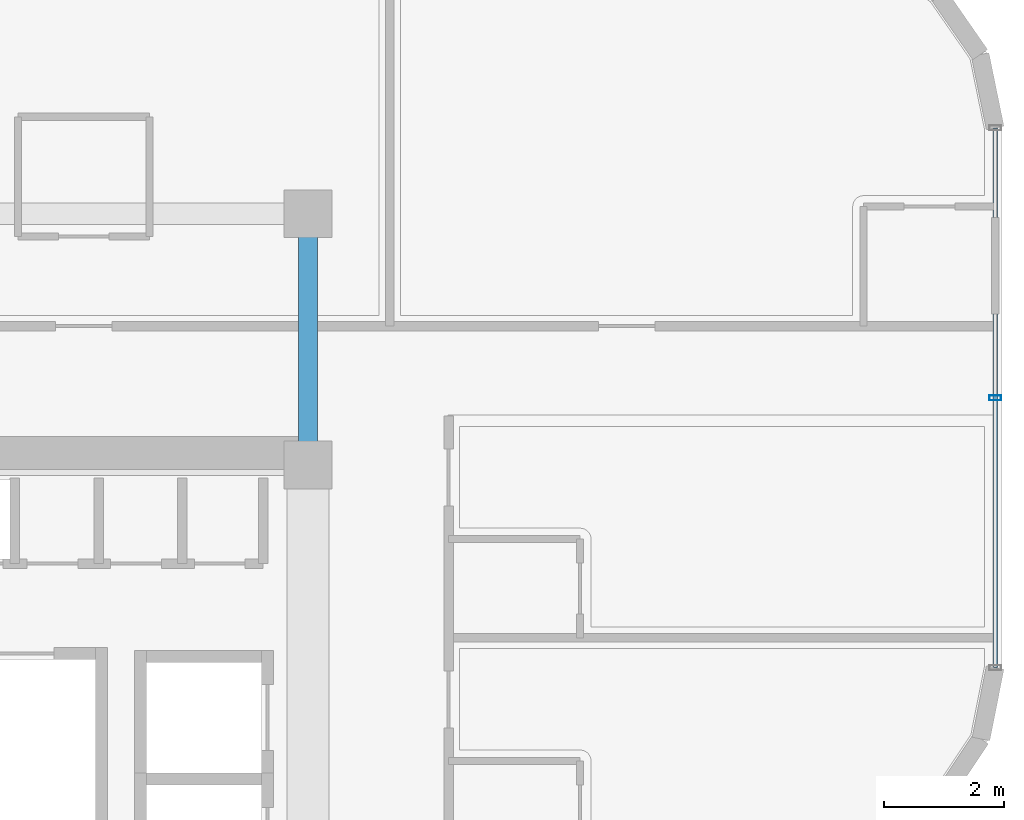
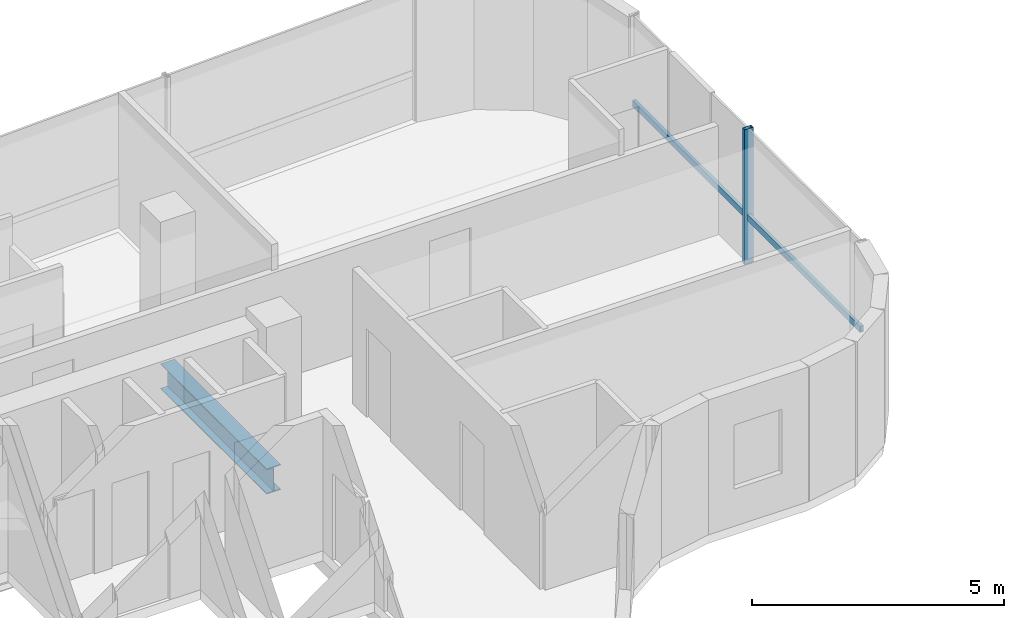
# One storey, part 9 of 20: 2 members, 1 beam, 1 element without a shape of its own.
"""IFC4 building model written with IfcOpenShell, lengths in metres."""

from ifc_helpers import new_model, si_unit, direction, frame, origin, origin_2d, place, context, subcontext, project, spatial, hollow_rectangle, i_section, extrude, source, transform, mapped, material, material_profile, profile_set, type_object, element, aggregate, save


model = new_model("IFC4")

# Units and contexts
model_context = context("Model", 3, precision=1e-05, world=origin(), true_north=direction((0.0, 1.0)))
body_context = subcontext(model_context, "Body", "Model", "MODEL_VIEW")
ifc_project = project(units=[si_unit("LENGTHUNIT", "METRE"), si_unit("AREAUNIT", "SQUARE_METRE"), si_unit("VOLUMEUNIT", "CUBIC_METRE"), si_unit("PLANEANGLEUNIT", "RADIAN"), si_unit("MASSUNIT", "GRAM", prefix="KILO")], contexts=[model_context])

# Site, building, storey
site_placement = place(None, origin())
site = spatial("IfcSite", under=ifc_project, at=site_placement, CompositionType="ELEMENT")
building_placement = place(site_placement, origin())
building = spatial("IfcBuilding", under=site, at=building_placement, Name="Valdorenza Pilgrim Sanctuary Tower", CompositionType="ELEMENT")
storey_placement = place(building_placement, frame((0.0, 0.0, 244.0)))
storey = spatial("IfcBuildingStorey", under=building, at=storey_placement, Name="L63", CompositionType="ELEMENT", Elevation=244.0)

# Beam
ifc_material_1 = material(Name="Steel ASTM A992 Grade 50", Category="steel")
ifc_material_profile_1 = material_profile(ifc_material_1, i_section(OverallWidth=0.323974609375, OverallDepth=0.611083984375, WebThickness=0.0126953125, FlangeThickness=0.01904296875, at=origin_2d()), Name="W24X104")
ifc_profile_set_1 = profile_set([ifc_material_profile_1], Name="Steel ASTM A992 Grade 50")
beam_type = type_object("IfcBeamType", Name="STR-BM-GRD-W24B", PredefinedType="BEAM", material=ifc_profile_set_1)
shared_shape_1 = source(origin(), body_context, "Body", "SweptSolid", [
    extrude(i_section(OverallWidth=0.323974609375, OverallDepth=0.611083984375, WebThickness=0.0126953125, FlangeThickness=0.01904296875, at=origin_2d()), origin(), (0.0, 0.0, 1.0), 4.199951171875),
])
beam_placement = place(storey_placement, frame((-12.39990234375, 10.60009765625, -0.54541015625), z_axis=(0.0, 1.0, 0.0), x_axis=(-1.0, 0.0, 0.0)))
element("IfcBeam", 1, at=beam_placement, inside=storey, type_object=beam_type, Name="L63 Core Tie Girder CA-E-N1N2", PredefinedType="BEAM", context=body_context, shape_type="MappedRepresentation", body=[
    mapped(shared_shape_1, transform((0.0, 0.0, 0.0), x_axis=(1.0, 0.0, 0.0), y_axis=(0.0, 1.0, 0.0), z_axis=(0.0, 0.0, 1.0), scale=1.0)),
])

# Curtain wall, members
ifc_material_2 = material(Name="Curtain-wall IGU glazing", Category="glass")
curtain_wall_type = type_object("IfcCurtainWallType", Name="CW-SYS-02", PredefinedType="NOTDEFINED", material=ifc_material_2)
curtain_wall_placement = place(storey_placement, origin())
curtain_wall = element("IfcCurtainWall", 2, at=curtain_wall_placement, inside=storey, type_object=curtain_wall_type, Name="L63 Curtain Wall CW-L63-1-11", PredefinedType="NOTDEFINED")
ifc_material_3 = material(Name="Anodised aluminium AW-6060", Category="aluminium")
ifc_material_profile_2 = material_profile(ifc_material_3, hollow_rectangle(XDim=0.0849609375, YDim=0.199951171875, WallThickness=0.0048828125, at=origin_2d()), Name="ALU-M 200x85x5")
ifc_profile_set_2 = profile_set([ifc_material_profile_2], Name="Anodised aluminium AW-6060")
member_type_1 = type_object("IfcMemberType", Name="CW-MUL-02", PredefinedType="MULLION", material=ifc_profile_set_2)
shared_shape_2 = source(origin(), body_context, "Body", "SweptSolid", [
    extrude(hollow_rectangle(XDim=0.0849609375, YDim=0.199951171875, WallThickness=0.0048828125, at=origin_2d()), origin(), (0.0, 0.0, 1.0), 3.260009765625),
])
member_1_placement = place(storey_placement, frame((-0.909912109375, 11.72265625, 0.0), z_axis=(0.0, 0.0, 1.0), x_axis=(0.0, -1.0, 0.0)))
member_1 = element("IfcMember", 3, at=member_1_placement, type_object=member_type_1, Name="CW-L63-1-11 Mullion 2", PredefinedType="MULLION", context=body_context, shape_type="MappedRepresentation", body=[
    mapped(shared_shape_2, transform((0.0, 0.0, 0.0), x_axis=(1.0, 0.0, 0.0), y_axis=(0.0, 1.0, 0.0), z_axis=(0.0, 0.0, 1.0), scale=1.0)),
])
ifc_material_profile_3 = material_profile(ifc_material_3, hollow_rectangle(XDim=0.074951171875, YDim=0.14990234375, WallThickness=0.00390625, at=origin_2d()), Name="ALU-T 150x75x4")
ifc_profile_set_3 = profile_set([ifc_material_profile_3], Name="Anodised aluminium AW-6060")
member_type_2 = type_object("IfcMemberType", Name="CW-TRN-02", PredefinedType="USERDEFINED", material=ifc_profile_set_3)
shared_shape_3 = source(origin(), body_context, "Body", "SweptSolid", [
    extrude(hollow_rectangle(XDim=0.074951171875, YDim=0.14990234375, WallThickness=0.00390625, at=origin_2d()), origin(), (0.0, 0.0, 1.0), 9.023681640625),
])
member_2_placement = place(storey_placement, frame((-0.909912109375, 16.234375, 1.1201171875), z_axis=(0.0, -1.0, 0.0), x_axis=(1.0, 0.0, 0.0)))
member_2 = element("IfcMember", 4, at=member_2_placement, type_object=member_type_2, Name="CW-L63-1-11 Transom 1", ObjectType="TRANSOM", PredefinedType="USERDEFINED", context=body_context, shape_type="MappedRepresentation", body=[
    mapped(shared_shape_3, transform((0.0, 0.0, 0.0), x_axis=(1.0, 0.0, 0.0), y_axis=(0.0, 1.0, 0.0), z_axis=(0.0, 0.0, 1.0), scale=1.0)),
])
aggregate(curtain_wall, [member_1, member_2])

save(model, "model.ifc")
